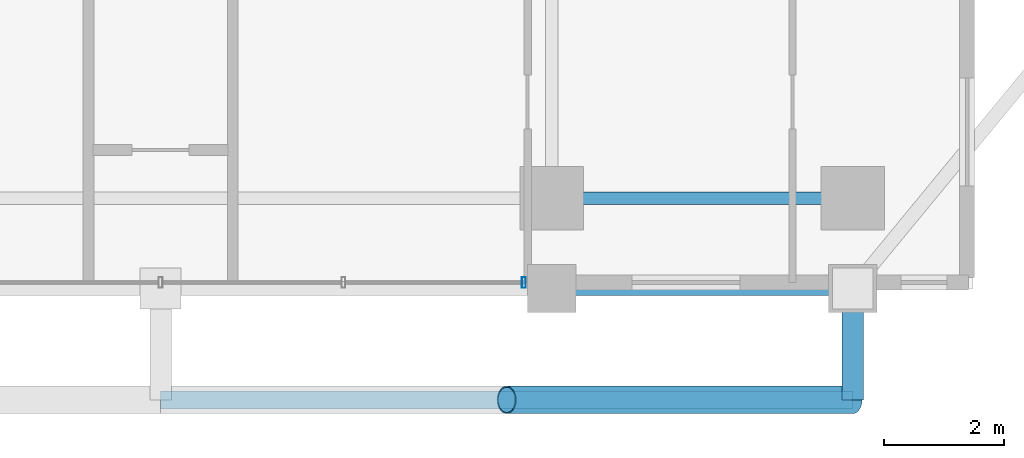
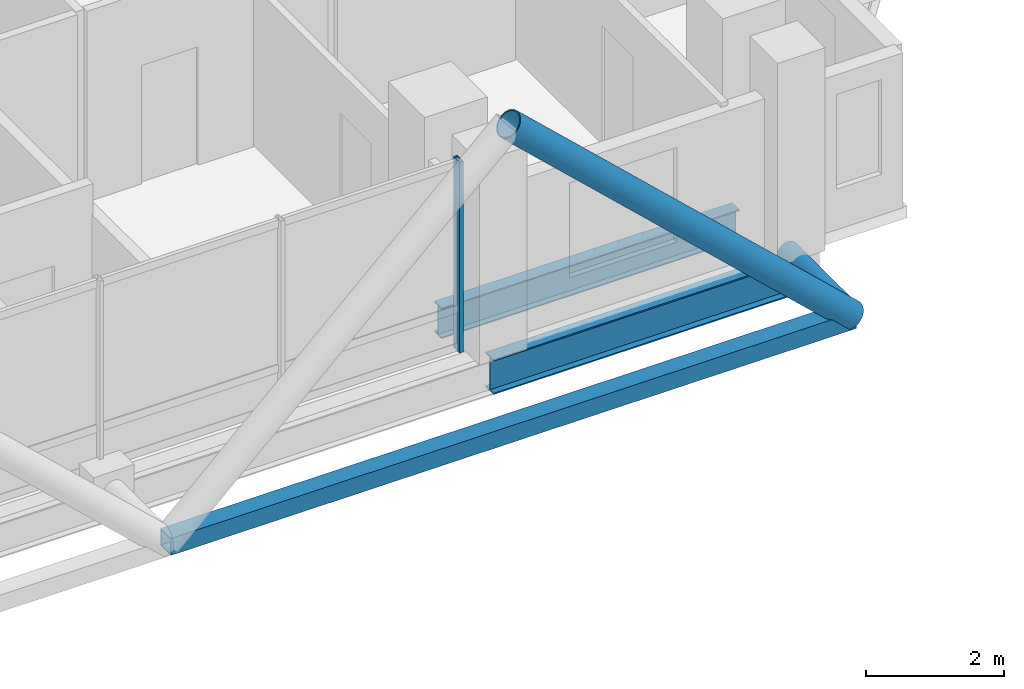
# One storey, part 5 of 26: 4 members, 2 beams, 1 element without a shape of its own.
"""IFC4 building model written with IfcOpenShell, lengths in metres."""

from ifc_helpers import new_model, si_unit, direction, frame, origin, origin_2d, place, context, subcontext, project, spatial, hollow_rectangle, hollow_circle, i_section, extrude, material, layer, layer_set, material_profile, profile_set, type_object, element, aggregate, save


model = new_model("IFC4")

# Units and contexts
model_context = context("Model", 3, precision=1e-05, world=origin(), true_north=direction((0.0, 1.0)))
body_context = subcontext(model_context, "Body", "Model", "MODEL_VIEW")
ifc_project = project(units=[si_unit("LENGTHUNIT", "METRE"), si_unit("AREAUNIT", "SQUARE_METRE"), si_unit("VOLUMEUNIT", "CUBIC_METRE"), si_unit("PLANEANGLEUNIT", "RADIAN"), si_unit("MASSUNIT", "GRAM", prefix="KILO")], contexts=[model_context])

# Site, building, storey
site_placement = place(None, origin())
site = spatial("IfcSite", under=ifc_project, at=site_placement, CompositionType="ELEMENT")
building_placement = place(site_placement, origin())
building = spatial("IfcBuilding", under=site, at=building_placement, Name="Barlavira Tower and Art Museum", CompositionType="ELEMENT")
storey_placement = place(building_placement, frame((0.0, 0.0, 176.39990234375)))
storey = spatial("IfcBuildingStorey", under=building, at=storey_placement, Name="L45", CompositionType="ELEMENT", Elevation=176.39990234375)

# Curtain wall, member
ifc_material_1 = material(Name="Low-iron coastal laminated glass", Category="glass")
ifc_layer = layer(ifc_material_1, 0.199951171875, Name="Low-iron coastal laminated glass")
ifc_layer_set = layer_set([ifc_layer], Name="Low-iron coastal laminated glass")
curtain_wall_type = type_object("IfcCurtainWallType", Name="Pale-Metal Unitised Curtain Wall Zone 3", PredefinedType="NOTDEFINED", material=ifc_layer_set)
curtain_wall_placement = place(storey_placement, origin())
curtain_wall = element("IfcCurtainWall", 1, at=curtain_wall_placement, inside=storey, type_object=curtain_wall_type, Name="L45 Curtain Wall CW3-L45-S-B3", PredefinedType="NOTDEFINED")
ifc_material_2 = material(Name="Pale anodised aluminium", Category="aluminium")
ifc_material_profile_1 = material_profile(ifc_material_2, hollow_rectangle(XDim=0.06494140625, YDim=0.179931640625, WallThickness=0.00390625, at=origin_2d()), Name="ALU-MULL 65x180x4")
ifc_profile_set_1 = profile_set([ifc_material_profile_1], Name="Pale anodised aluminium")
member_type_1 = type_object("IfcMemberType", Name="Curtain Wall Pale-Metal Mullion 65x180", PredefinedType="MULLION", material=ifc_profile_set_1)
member_1_placement = place(storey_placement, frame((6.034912109375, -21.39990234375, 0.0), z_axis=(0.0, 0.0, 1.0), x_axis=(1.0, 0.0, 0.0)))
member_1 = element("IfcMember", 2, at=member_1_placement, type_object=member_type_1, Name="CW3-L45-S-B3 Mullion 4", PredefinedType="MULLION", context=body_context, shape_type="SweptSolid", body=[
    extrude(hollow_rectangle(XDim=0.06494140625, YDim=0.179931640625, WallThickness=0.00390625, at=origin_2d()), origin(), (0.0, 0.0, 1.0), 3.380126953125),
])
aggregate(curtain_wall, [member_1])

# Members
ifc_material_3 = material(Name="Steel S355", Category="steel")
ifc_material_profile_2 = material_profile(ifc_material_3, hollow_circle(Radius=0.228515625, WallThickness=0.02001953125, at=origin_2d()), Name="CHS 457.0x20.0")
ifc_profile_set_2 = profile_set([ifc_material_profile_2], Name="Steel S355")
member_type_2 = type_object("IfcMemberType", Name="Pale-Metal Exoskeleton Diagrid Tube CHS 457x20 Steel S355", PredefinedType="BRACE", material=ifc_profile_set_2)
member_2_placement = place(storey_placement, frame((11.5, -23.35009765625, -0.119873046875), z_axis=(-0.728950095515, 0.0, 0.684566839869), x_axis=(0.0, -1.0, 0.0)))
element("IfcMember", 3, at=member_2_placement, inside=storey, type_object=member_type_2, Name="L45 Exoskeleton Diagrid Tube S", PredefinedType="BRACE", context=body_context, shape_type="SweptSolid", body=[
    extrude(hollow_circle(Radius=0.228515625, WallThickness=0.02001953125, at=origin_2d()), origin(), (0.0, 0.0, 1.0), 7.887939453125),
])
ifc_material_profile_3 = material_profile(ifc_material_3, hollow_circle(Radius=0.177734375, WallThickness=0.01611328125, at=origin_2d()), Name="CHS 355.6x16.0")
ifc_profile_set_3 = profile_set([ifc_material_profile_3], Name="Steel S355")
member_type_3 = type_object("IfcMemberType", Name="Pale-Metal Exoskeleton Tie Strut CHS 356x16 Steel S355", PredefinedType="STRUT", material=ifc_profile_set_3)
member_3_placement = place(storey_placement, frame((11.5, -23.35009765625, -0.119873046875), z_axis=(0.0, 1.0, 0.0), x_axis=(-1.0, 0.0, 0.0)))
element("IfcMember", 4, at=member_3_placement, inside=storey, type_object=member_type_3, Name="L45 Exoskeleton Tie Strut S3", PredefinedType="STRUT", context=body_context, shape_type="SweptSolid", body=[
    extrude(hollow_circle(Radius=0.177734375, WallThickness=0.01611328125, at=origin_2d()), origin(), (0.0, 0.0, 1.0), 1.85009765625),
])
ifc_material_profile_4 = material_profile(ifc_material_3, hollow_rectangle(XDim=0.300048828125, YDim=0.300048828125, WallThickness=0.01611328125, at=origin_2d()), Name="SHS 300x300x16.0")
ifc_profile_set_4 = profile_set([ifc_material_profile_4], Name="Steel S355")
member_type_4 = type_object("IfcMemberType", Name="Pale-Metal Upper Ring Strut SHS 300x300x16 Steel S355", PredefinedType="STRUT", material=ifc_profile_set_4)
member_4_placement = place(storey_placement, frame((0.0, -23.35009765625, -0.119873046875), z_axis=(1.0, 0.0, 0.0), x_axis=(0.0, 1.0, 0.0)))
element("IfcMember", 5, at=member_4_placement, inside=storey, type_object=member_type_4, Name="L45 Exoskeleton Ring Strut S", PredefinedType="STRUT", context=body_context, shape_type="SweptSolid", body=[
    extrude(hollow_rectangle(XDim=0.300048828125, YDim=0.300048828125, WallThickness=0.01611328125, at=origin_2d()), origin(), (0.0, 0.0, 1.0), 11.5),
])

# Beams
ifc_material_profile_5 = material_profile(ifc_material_3, i_section(OverallWidth=0.22998046875, OverallDepth=0.616943359375, WebThickness=0.01318359375, FlangeThickness=0.022216796875, at=origin_2d()), Name="W610x140.0")
ifc_profile_set_5 = profile_set([ifc_material_profile_5], Name="Steel S355")
beam_type_1 = type_object("IfcBeamType", Name="Upper Shaft Spandrel Edge Beam W610x140 Steel S355", PredefinedType="SPANDREL", material=ifc_profile_set_5)
beam_1_placement = place(storey_placement, frame((6.5, -21.5, -0.5283203125), z_axis=(1.0, 0.0, 0.0), x_axis=(0.0, 1.0, 0.0)))
element("IfcBeam", 6, at=beam_1_placement, inside=storey, type_object=beam_type_1, Name="L45 Spandrel 3", PredefinedType="SPANDREL", context=body_context, shape_type="SweptSolid", body=[
    extrude(i_section(OverallWidth=0.22998046875, OverallDepth=0.616943359375, WebThickness=0.01318359375, FlangeThickness=0.022216796875, at=origin_2d()), origin(), (0.0, 0.0, 1.0), 5.0),
])
ifc_material_profile_6 = material_profile(ifc_material_3, i_section(OverallWidth=0.2109375, OverallDepth=0.5390625, WebThickness=0.01171875, FlangeThickness=0.018798828125, at=origin_2d()), Name="W530x109.0")
ifc_profile_set_6 = profile_set([ifc_material_profile_6], Name="Steel S355")
beam_type_2 = type_object("IfcBeamType", Name="Zone 3-4 Primary Floor Girder W530x109 Steel S355", PredefinedType="BEAM", material=ifc_profile_set_6)
beam_2_placement = place(storey_placement, frame((6.5, -20.0, -0.489501953125), z_axis=(1.0, 0.0, 0.0), x_axis=(0.0, 1.0, 0.0)))
element("IfcBeam", 7, at=beam_2_placement, inside=storey, type_object=beam_type_2, Name="L45 Girder M-S3", PredefinedType="BEAM", context=body_context, shape_type="SweptSolid", body=[
    extrude(i_section(OverallWidth=0.2109375, OverallDepth=0.5390625, WebThickness=0.01171875, FlangeThickness=0.018798828125, at=origin_2d()), origin(), (0.0, 0.0, 1.0), 5.0),
])

save(model, "model.ifc")
